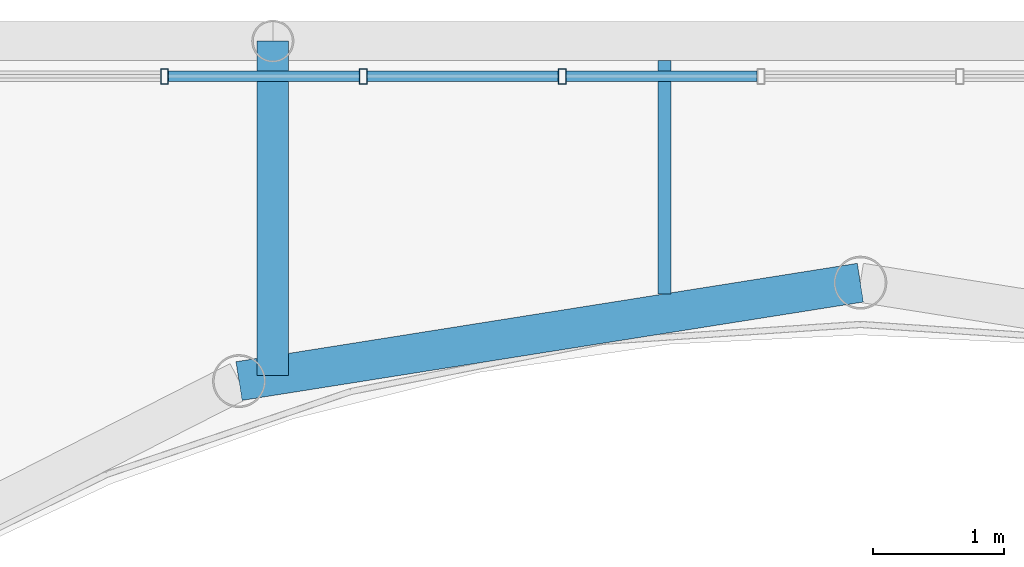
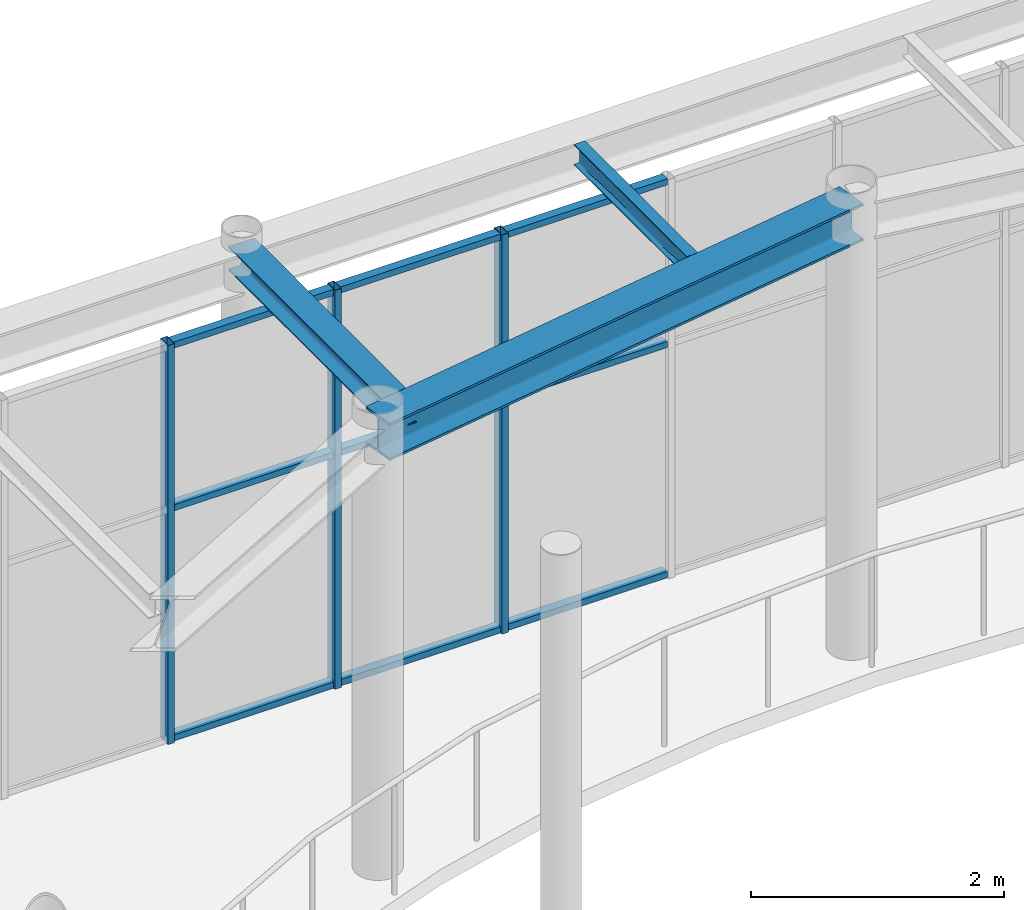
# One storey, part 37 of 70: 12 members, 3 beams, 1 element without a shape of its own.
"""IFC4 building model written with IfcOpenShell, lengths in metres."""

from ifc_helpers import new_model, si_unit, direction, frame, origin, origin_2d, place, context, subcontext, project, spatial, hollow_rectangle, i_section, extrude, material, layer, layer_set, material_profile, profile_set, type_object, element, aggregate, save


model = new_model("IFC4")

# Units and contexts
model_context = context("Model", 3, precision=1e-05, world=origin(), true_north=direction((0.0, 1.0)))
body_context = subcontext(model_context, "Body", "Model", "MODEL_VIEW")
ifc_project = project(units=[si_unit("LENGTHUNIT", "METRE"), si_unit("AREAUNIT", "SQUARE_METRE"), si_unit("VOLUMEUNIT", "CUBIC_METRE"), si_unit("PLANEANGLEUNIT", "RADIAN"), si_unit("MASSUNIT", "GRAM", prefix="KILO")], contexts=[model_context])

# Site, building, storey
site_placement = place(None, origin())
site = spatial("IfcSite", under=ifc_project, at=site_placement, CompositionType="ELEMENT")
building_placement = place(site_placement, origin())
building = spatial("IfcBuilding", under=site, at=building_placement, Name="Kallimachos Central Library", CompositionType="ELEMENT")
storey_placement = place(building_placement, frame((0.0, 0.0, 18.89990234375)))
storey = spatial("IfcBuildingStorey", under=building, at=storey_placement, Name="L04", CompositionType="ELEMENT", Elevation=18.89990234375)

# Curtain wall, members
ifc_material_1 = material(Name="Anodised aluminium and laminated glass", Category="aluminium")
ifc_layer = layer(ifc_material_1, 0.159912109375)
ifc_layer_set = layer_set([ifc_layer], Name="Glass box curtain wall")
curtain_wall_type = type_object("IfcCurtainWallType", Name="Glass box curtain wall", PredefinedType="NOTDEFINED", material=ifc_layer_set)
curtain_wall_placement = place(storey_placement, origin())
curtain_wall = element("IfcCurtainWall", 1, at=curtain_wall_placement, inside=storey, type_object=curtain_wall_type, Name="Glass box curtain wall N L04", PredefinedType="NOTDEFINED")
ifc_material_2 = material(Name="Anodised aluminium", Category="aluminium")
ifc_material_profile_1 = material_profile(ifc_material_2, hollow_rectangle(XDim=0.06005859375, YDim=0.1201171875, WallThickness=0.00390625, at=origin_2d()), Name="ALU MULLION 60x120")
ifc_profile_set_1 = profile_set([ifc_material_profile_1], Name="Anodised aluminium")
member_type_1 = type_object("IfcMemberType", Name="Glass box mullion 60x120", PredefinedType="MULLION", material=ifc_profile_set_1)
member_1_placement = place(storey_placement, frame((82.67041015625, 121.3798828125, 0.0), z_axis=(0.0, 0.0, 1.0), x_axis=(1.0, 0.0, 0.0)))
member_1 = element("IfcMember", 2, at=member_1_placement, type_object=member_type_1, Name="CW34 mullion 12", PredefinedType="MULLION", context=body_context, shape_type="SweptSolid", body=[
    extrude(hollow_rectangle(XDim=0.06005859375, YDim=0.1201171875, WallThickness=0.00390625, at=origin_2d()), origin(), (0.0, 0.0, 1.0), 3.85009765625),
])
member_2_placement = place(storey_placement, frame((84.193115234375, 121.3798828125, 0.0), z_axis=(0.0, 0.0, 1.0), x_axis=(1.0, 0.0, 0.0)))
member_2 = element("IfcMember", 3, at=member_2_placement, type_object=member_type_1, Name="CW34 mullion 13", PredefinedType="MULLION", context=body_context, shape_type="SweptSolid", body=[
    extrude(hollow_rectangle(XDim=0.06005859375, YDim=0.1201171875, WallThickness=0.00390625, at=origin_2d()), origin(), (0.0, 0.0, 1.0), 3.85009765625),
])
member_3_placement = place(storey_placement, frame((85.7158203125, 121.3798828125, 0.0), z_axis=(0.0, 0.0, 1.0), x_axis=(1.0, 0.0, 0.0)))
member_3 = element("IfcMember", 4, at=member_3_placement, type_object=member_type_1, Name="CW34 mullion 14", PredefinedType="MULLION", context=body_context, shape_type="SweptSolid", body=[
    extrude(hollow_rectangle(XDim=0.06005859375, YDim=0.1201171875, WallThickness=0.00390625, at=origin_2d()), origin(), (0.0, 0.0, 1.0), 3.85009765625),
])
ifc_material_3 = material(Name="Anodised aluminium", Category="aluminium")
ifc_material_profile_2 = material_profile(ifc_material_3, hollow_rectangle(XDim=0.06005859375, YDim=0.080078125, WallThickness=0.00390625, at=origin_2d()), Name="ALU TRANSOM 60x80")
ifc_profile_set_2 = profile_set([ifc_material_profile_2], Name="Anodised aluminium")
member_type_2 = type_object("IfcMemberType", Name="Glass box transom 60x80", PredefinedType="USERDEFINED", material=ifc_profile_set_2)
member_4_placement = place(storey_placement, frame((82.700439453125, 121.3798828125, 0.030029296875), z_axis=(1.0, 0.0, 0.0), x_axis=(0.0, 0.0, 1.0)))
member_4 = element("IfcMember", 5, at=member_4_placement, type_object=member_type_2, Name="CW34 transom 12.1", ObjectType="TRANSOM", PredefinedType="USERDEFINED", context=body_context, shape_type="SweptSolid", body=[
    extrude(hollow_rectangle(XDim=0.06005859375, YDim=0.080078125, WallThickness=0.00390625, at=origin_2d()), origin(), (0.0, 0.0, 1.0), 1.462646484375),
])
member_5_placement = place(storey_placement, frame((82.700439453125, 121.3798828125, 2.25), z_axis=(1.0, 0.0, 0.0), x_axis=(0.0, 0.0, 1.0)))
member_5 = element("IfcMember", 6, at=member_5_placement, type_object=member_type_2, Name="CW34 transom 12.2", ObjectType="TRANSOM", PredefinedType="USERDEFINED", context=body_context, shape_type="SweptSolid", body=[
    extrude(hollow_rectangle(XDim=0.06005859375, YDim=0.080078125, WallThickness=0.00390625, at=origin_2d()), origin(), (0.0, 0.0, 1.0), 1.462646484375),
])
member_6_placement = place(storey_placement, frame((82.700439453125, 121.3798828125, 3.820068359375), z_axis=(1.0, 0.0, 0.0), x_axis=(0.0, 0.0, 1.0)))
member_6 = element("IfcMember", 7, at=member_6_placement, type_object=member_type_2, Name="CW34 transom 12.3", ObjectType="TRANSOM", PredefinedType="USERDEFINED", context=body_context, shape_type="SweptSolid", body=[
    extrude(hollow_rectangle(XDim=0.06005859375, YDim=0.080078125, WallThickness=0.00390625, at=origin_2d()), origin(), (0.0, 0.0, 1.0), 1.462646484375),
])
member_7_placement = place(storey_placement, frame((84.22314453125, 121.3798828125, 0.030029296875), z_axis=(1.0, 0.0, 0.0), x_axis=(0.0, 0.0, 1.0)))
member_7 = element("IfcMember", 8, at=member_7_placement, type_object=member_type_2, Name="CW34 transom 13.1", ObjectType="TRANSOM", PredefinedType="USERDEFINED", context=body_context, shape_type="SweptSolid", body=[
    extrude(hollow_rectangle(XDim=0.06005859375, YDim=0.080078125, WallThickness=0.00390625, at=origin_2d()), origin(), (0.0, 0.0, 1.0), 1.462646484375),
])
member_8_placement = place(storey_placement, frame((84.22314453125, 121.3798828125, 2.25), z_axis=(1.0, 0.0, 0.0), x_axis=(0.0, 0.0, 1.0)))
member_8 = element("IfcMember", 9, at=member_8_placement, type_object=member_type_2, Name="CW34 transom 13.2", ObjectType="TRANSOM", PredefinedType="USERDEFINED", context=body_context, shape_type="SweptSolid", body=[
    extrude(hollow_rectangle(XDim=0.06005859375, YDim=0.080078125, WallThickness=0.00390625, at=origin_2d()), origin(), (0.0, 0.0, 1.0), 1.462646484375),
])
member_9_placement = place(storey_placement, frame((84.22314453125, 121.3798828125, 3.820068359375), z_axis=(1.0, 0.0, 0.0), x_axis=(0.0, 0.0, 1.0)))
member_9 = element("IfcMember", 10, at=member_9_placement, type_object=member_type_2, Name="CW34 transom 13.3", ObjectType="TRANSOM", PredefinedType="USERDEFINED", context=body_context, shape_type="SweptSolid", body=[
    extrude(hollow_rectangle(XDim=0.06005859375, YDim=0.080078125, WallThickness=0.00390625, at=origin_2d()), origin(), (0.0, 0.0, 1.0), 1.462646484375),
])
member_10_placement = place(storey_placement, frame((85.745849609375, 121.3798828125, 0.030029296875), z_axis=(1.0, 0.0, 0.0), x_axis=(0.0, 0.0, 1.0)))
member_10 = element("IfcMember", 11, at=member_10_placement, type_object=member_type_2, Name="CW34 transom 14.1", ObjectType="TRANSOM", PredefinedType="USERDEFINED", context=body_context, shape_type="SweptSolid", body=[
    extrude(hollow_rectangle(XDim=0.06005859375, YDim=0.080078125, WallThickness=0.00390625, at=origin_2d()), origin(), (0.0, 0.0, 1.0), 1.462890625),
])
member_11_placement = place(storey_placement, frame((85.745849609375, 121.3798828125, 2.25), z_axis=(1.0, 0.0, 0.0), x_axis=(0.0, 0.0, 1.0)))
member_11 = element("IfcMember", 12, at=member_11_placement, type_object=member_type_2, Name="CW34 transom 14.2", ObjectType="TRANSOM", PredefinedType="USERDEFINED", context=body_context, shape_type="SweptSolid", body=[
    extrude(hollow_rectangle(XDim=0.06005859375, YDim=0.080078125, WallThickness=0.00390625, at=origin_2d()), origin(), (0.0, 0.0, 1.0), 1.462890625),
])
member_12_placement = place(storey_placement, frame((85.745849609375, 121.3798828125, 3.820068359375), z_axis=(1.0, 0.0, 0.0), x_axis=(0.0, 0.0, 1.0)))
member_12 = element("IfcMember", 13, at=member_12_placement, type_object=member_type_2, Name="CW34 transom 14.3", ObjectType="TRANSOM", PredefinedType="USERDEFINED", context=body_context, shape_type="SweptSolid", body=[
    extrude(hollow_rectangle(XDim=0.06005859375, YDim=0.080078125, WallThickness=0.00390625, at=origin_2d()), origin(), (0.0, 0.0, 1.0), 1.462890625),
])
aggregate(curtain_wall, [member_1, member_2, member_3, member_4, member_5, member_6, member_7, member_8, member_9, member_10, member_11, member_12])

# Beams
ifc_material_4 = material(Name="Steel S355J2", Category="steel")
ifc_material_profile_3 = material_profile(ifc_material_4, i_section(OverallWidth=0.239990234375, OverallDepth=0.22998046875, WebThickness=0.007568359375, FlangeThickness=0.011962890625, FilletRadius=0.02099609375, at=origin_2d()), Name="HEA 240")
ifc_profile_set_3 = profile_set([ifc_material_profile_3], Name="Steel S355J2")
beam_type_1 = type_object("IfcBeamType", Name="HEA 240 beam", PredefinedType="BEAM", material=ifc_profile_set_3)
beam_1_placement = place(storey_placement, frame((83.5, 119.08740234375, 4.235107421875), z_axis=(0.0, 1.0, 0.0), x_axis=(-1.0, 0.0, 0.0)))
element("IfcBeam", 14, at=beam_1_placement, inside=storey, type_object=beam_type_1, Name="V1-BEM-L04-029", PredefinedType="BEAM", context=body_context, shape_type="SweptSolid", body=[
    extrude(i_section(OverallWidth=0.239990234375, OverallDepth=0.22998046875, WebThickness=0.007568359375, FlangeThickness=0.011962890625, FilletRadius=0.02099609375, at=origin_2d()), origin(), (0.0, 0.0, 1.0), 2.5625),
])
ifc_material_5 = material(Name="Steel S355J2", Category="steel")
ifc_material_profile_4 = material_profile(ifc_material_5, i_section(OverallWidth=0.300048828125, OverallDepth=0.360107421875, WebThickness=0.012451171875, FlangeThickness=0.0224609375, FilletRadius=0.027099609375, at=origin_2d()), Name="HEB 360")
ifc_profile_set_4 = profile_set([ifc_material_profile_4], Name="Steel S355J2")
beam_type_2 = type_object("IfcBeamType", Name="HEB 360 beam", PredefinedType="BEAM", material=ifc_profile_set_4)
beam_2_placement = place(storey_placement, frame((88.0, 119.800048828125, 4.170166015625), z_axis=(-0.987690137413, -0.156423119957, 0.0), x_axis=(0.156423119957, -0.987690137413, 0.0)))
element("IfcBeam", 15, at=beam_2_placement, inside=storey, type_object=beam_type_2, Name="V1-BEM-L04-006", PredefinedType="BEAM", context=body_context, shape_type="SweptSolid", body=[
    extrude(i_section(OverallWidth=0.300048828125, OverallDepth=0.360107421875, WebThickness=0.012451171875, FlangeThickness=0.0224609375, FilletRadius=0.027099609375, at=origin_2d()), origin(), (0.0, 0.0, 1.0), 4.818115234375),
])
ifc_material_6 = material(Name="Steel S355J2", Category="steel")
ifc_material_profile_5 = material_profile(ifc_material_6, i_section(OverallWidth=0.10009765625, OverallDepth=0.199951171875, WebThickness=0.005615234375, FlangeThickness=0.008544921875, FilletRadius=0.011962890625, at=origin_2d()), Name="IPE 200")
ifc_profile_set_5 = profile_set([ifc_material_profile_5], Name="Steel S355J2")
beam_type_3 = type_object("IfcBeamType", Name="IPE 200 beam", PredefinedType="BEAM", material=ifc_profile_set_5)
beam_3_placement = place(storey_placement, frame((86.5, 119.71435546875, 4.25), z_axis=(0.0, 1.0, 0.0), x_axis=(-1.0, 0.0, 0.0)))
element("IfcBeam", 16, at=beam_3_placement, inside=storey, type_object=beam_type_3, Name="V1-BEM-L04-058", PredefinedType="BEAM", context=body_context, shape_type="SweptSolid", body=[
    extrude(i_section(OverallWidth=0.10009765625, OverallDepth=0.199951171875, WebThickness=0.005615234375, FlangeThickness=0.008544921875, FilletRadius=0.011962890625, at=origin_2d()), origin(), (0.0, 0.0, 1.0), 1.78564453125),
])

save(model, "model.ifc")
